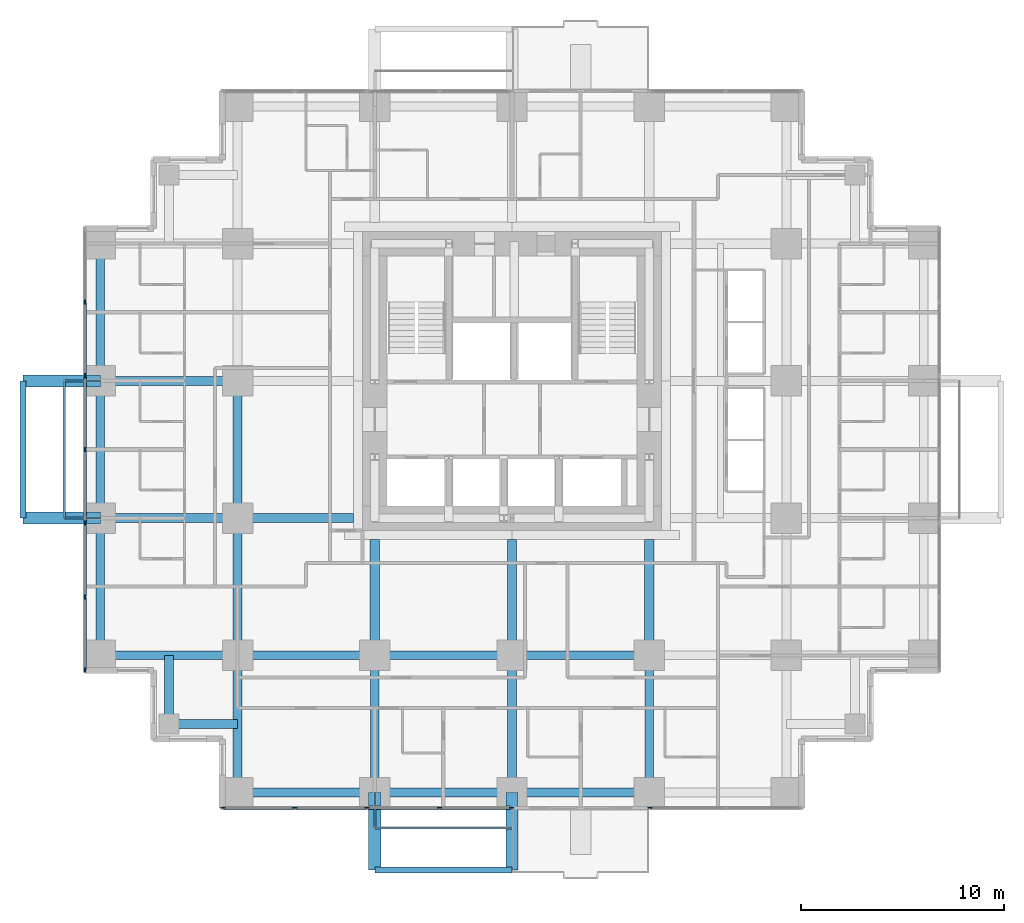
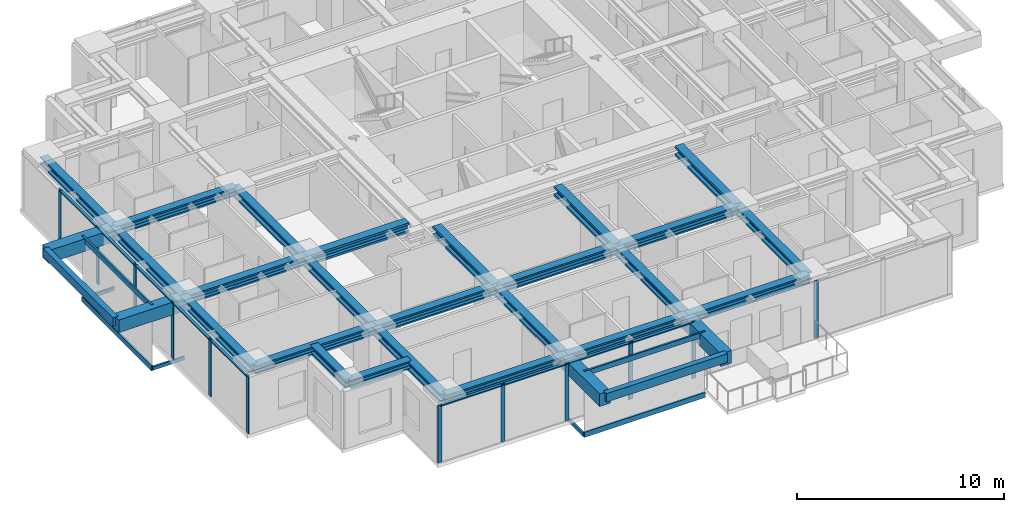
# One storey, part 2 of 12: 30 beams, 28 members, 3 elements without a shape of their own.
"""IFC4 building model written with IfcOpenShell, lengths in metres."""

from ifc_helpers import new_model, si_unit, direction, frame, origin, origin_2d, place, context, subcontext, project, spatial, rectangle, hollow_rectangle, i_section, extrude, material, material_profile, profile_set, type_object, element, aggregate, save


model = new_model("IFC4")

# Units and contexts
model_context = context("Model", 3, precision=1e-05, world=origin(), true_north=direction((0.0, 1.0)))
body_context = subcontext(model_context, "Body", "Model", "MODEL_VIEW")
ifc_project = project(units=[si_unit("LENGTHUNIT", "METRE"), si_unit("AREAUNIT", "SQUARE_METRE"), si_unit("VOLUMEUNIT", "CUBIC_METRE"), si_unit("PLANEANGLEUNIT", "RADIAN"), si_unit("MASSUNIT", "GRAM", prefix="KILO")], contexts=[model_context])

# Site, building, storey
site_placement = place(None, origin())
site = spatial("IfcSite", under=ifc_project, at=site_placement, CompositionType="ELEMENT")
building_placement = place(site_placement, origin())
building = spatial("IfcBuilding", under=site, at=building_placement, Name="Nyansa Garden Tower", CompositionType="ELEMENT")
storey_placement = place(building_placement, frame((0.0, 0.0, 126.89990234375)))
storey = spatial("IfcBuildingStorey", under=building, at=storey_placement, Name="L34", CompositionType="ELEMENT", Elevation=126.89990234375)

# Beams
ifc_material_1 = material(Name="Concrete C70/85", Category="concrete")
ifc_material_profile_1 = material_profile(ifc_material_1, rectangle(XDim=0.60009765625, YDim=0.75, at=origin_2d()), Name="RC 600x750")
ifc_profile_set_1 = profile_set([ifc_material_profile_1], Name="Concrete C70/85")
beam_type_1 = type_object("IfcBeamType", Name="Balcony cantilever beam CB1 RC 600x750", PredefinedType="BEAM", material=ifc_profile_set_1)
for number, where, z_axis, x_axis, name in (
    (1, (13.5, 0.0, 2.985107421875), (0.0, -1.0, 0.0), (1.0, 0.0, 0.0), "Balcony cantilever beam L35"),
    (2, (20.25, 0.0, 2.985107421875), (0.0, -1.0, 0.0), (1.0, 0.0, 0.0), "Balcony cantilever beam L35"),
    (3, (0.0, 13.5, 2.985107421875), (-1.0, 0.0, 0.0), (0.0, -1.0, 0.0), "Balcony cantilever beam L35"),
    (4, (0.0, 20.25, 2.985107421875), (-1.0, 0.0, 0.0), (0.0, -1.0, 0.0), "Balcony cantilever beam L35"),
):
    element("IfcBeam", number, at=place(storey_placement, frame(where, z_axis=z_axis, x_axis=x_axis)), inside=storey, type_object=beam_type_1, Name=name, PredefinedType="BEAM", context=body_context, shape_type="SweptSolid", body=[
        extrude(rectangle(XDim=0.60009765625, YDim=0.75, at=origin_2d()), origin(), (0.0, 0.0, 1.0), 3.800048828125),
    ])
ifc_material_2 = material(Name="Concrete C70/85", Category="concrete")
ifc_material_profile_2 = material_profile(ifc_material_2, rectangle(XDim=0.300048828125, YDim=0.5, at=origin_2d()), Name="RC 300x500")
ifc_profile_set_2 = profile_set([ifc_material_profile_2], Name="Concrete C70/85")
beam_type_2 = type_object("IfcBeamType", Name="Balcony edge beam BE1 RC 300x500", PredefinedType="BEAM", material=ifc_profile_set_2)
for number, where, z_axis, x_axis, name in (
    (5, (13.5, -3.800048828125, 3.110107421875), (1.0, 0.0, 0.0), (0.0, 1.0, 0.0), "Balcony edge beam L35"),
    (6, (-3.800048828125, 13.5, 3.110107421875), (0.0, 1.0, 0.0), (-1.0, 0.0, 0.0), "Balcony edge beam L35"),
):
    element("IfcBeam", number, at=place(storey_placement, frame(where, z_axis=z_axis, x_axis=x_axis)), inside=storey, type_object=beam_type_2, Name=name, PredefinedType="BEAM", context=body_context, shape_type="SweptSolid", body=[
        extrude(rectangle(XDim=0.300048828125, YDim=0.5, at=origin_2d()), origin(), (0.0, 0.0, 1.0), 6.75),
    ])

# Curtain wall, members
ifc_material_3 = material(Name="Black anodised aluminium, dark tinted double glazing", Category="aluminium")
curtain_wall_type = type_object("IfcCurtainWallType", Name="Inner skin curtain wall ISW-B", PredefinedType="USERDEFINED", material=ifc_material_3)
curtain_wall_1_placement = place(storey_placement, origin())
curtain_wall_1 = element("IfcCurtainWall", 7, at=curtain_wall_1_placement, inside=storey, type_object=curtain_wall_type, Name="Inner skin curtain wall L34 W", ObjectType="UNITISED CURTAIN WALL", PredefinedType="USERDEFINED")
ifc_material_4 = material(Name="Black anodised aluminium", Category="aluminium")
ifc_material_profile_3 = material_profile(ifc_material_4, rectangle(XDim=0.06494140625, YDim=0.22509765625, at=origin_2d()), Name="Mullion 225x65")
ifc_profile_set_3 = profile_set([ifc_material_profile_3], Name="Black anodised aluminium")
member_type_1 = type_object("IfcMemberType", Name="Mullion ISW-B 225x65", PredefinedType="MULLION", material=ifc_profile_set_3)
member_1_placement = place(storey_placement, frame((-0.75, 24.125, 0.0), z_axis=(0.0, 0.0, 1.0), x_axis=(1.0, 0.0, 0.0)))
member_1 = element("IfcMember", 8, at=member_1_placement, type_object=member_type_1, Name="ISW-B mullion 2", PredefinedType="MULLION", context=body_context, shape_type="SweptSolid", body=[
    extrude(rectangle(XDim=0.06494140625, YDim=0.22509765625, at=origin_2d()), origin(), (0.0, 0.0, 1.0), 3.375),
])
member_2_placement = place(storey_placement, frame((-0.75, 20.5, 0.0), z_axis=(0.0, 0.0, 1.0), x_axis=(1.0, 0.0, 0.0)))
member_2 = element("IfcMember", 9, at=member_2_placement, type_object=member_type_1, Name="ISW-B mullion 3", PredefinedType="MULLION", context=body_context, shape_type="SweptSolid", body=[
    extrude(rectangle(XDim=0.06494140625, YDim=0.22509765625, at=origin_2d()), origin(), (0.0, 0.0, 1.0), 3.375),
])
member_3_placement = place(storey_placement, frame((-0.75, 16.875, 0.0), z_axis=(0.0, 0.0, 1.0), x_axis=(1.0, 0.0, 0.0)))
member_3 = element("IfcMember", 10, at=member_3_placement, type_object=member_type_1, Name="ISW-B mullion 4", PredefinedType="MULLION", context=body_context, shape_type="SweptSolid", body=[
    extrude(rectangle(XDim=0.06494140625, YDim=0.22509765625, at=origin_2d()), origin(), (0.0, 0.0, 1.0), 3.375),
])
member_4_placement = place(storey_placement, frame((-0.75, 13.25, 0.0), z_axis=(0.0, 0.0, 1.0), x_axis=(1.0, 0.0, 0.0)))
member_4 = element("IfcMember", 11, at=member_4_placement, type_object=member_type_1, Name="ISW-B mullion 5", PredefinedType="MULLION", context=body_context, shape_type="SweptSolid", body=[
    extrude(rectangle(XDim=0.06494140625, YDim=0.22509765625, at=origin_2d()), origin(), (0.0, 0.0, 1.0), 3.375),
])
member_5_placement = place(storey_placement, frame((-0.75, 9.625, 0.0), z_axis=(0.0, 0.0, 1.0), x_axis=(1.0, 0.0, 0.0)))
member_5 = element("IfcMember", 12, at=member_5_placement, type_object=member_type_1, Name="ISW-B mullion 6", PredefinedType="MULLION", context=body_context, shape_type="SweptSolid", body=[
    extrude(rectangle(XDim=0.06494140625, YDim=0.22509765625, at=origin_2d()), origin(), (0.0, 0.0, 1.0), 3.375),
])
member_6_placement = place(storey_placement, frame((-0.75, 6.032470703125, 0.0), z_axis=(0.0, 0.0, 1.0), x_axis=(1.0, 0.0, 0.0)))
member_6 = element("IfcMember", 13, at=member_6_placement, type_object=member_type_1, Name="ISW-B mullion 7", PredefinedType="MULLION", context=body_context, shape_type="SweptSolid", body=[
    extrude(rectangle(XDim=0.06494140625, YDim=0.22509765625, at=origin_2d()), origin(), (0.0, 0.0, 1.0), 3.375),
])

curtain_wall_2_placement = place(storey_placement, origin())
curtain_wall_2 = element("IfcCurtainWall", 14, at=curtain_wall_2_placement, inside=storey, type_object=curtain_wall_type, Name="Inner skin curtain wall L34 S", ObjectType="UNITISED CURTAIN WALL", PredefinedType="USERDEFINED")
member_7_placement = place(storey_placement, frame((6.032470703125, -0.75, 0.0), z_axis=(0.0, 0.0, 1.0), x_axis=(0.0, 1.0, 0.0)))
member_7 = element("IfcMember", 15, at=member_7_placement, type_object=member_type_1, Name="ISW-B mullion 1", PredefinedType="MULLION", context=body_context, shape_type="SweptSolid", body=[
    extrude(rectangle(XDim=0.06494140625, YDim=0.22509765625, at=origin_2d()), origin(), (0.0, 0.0, 1.0), 3.375),
])
member_8_placement = place(storey_placement, frame((9.5625, -0.75, 0.0), z_axis=(0.0, 0.0, 1.0), x_axis=(0.0, 1.0, 0.0)))
member_8 = element("IfcMember", 16, at=member_8_placement, type_object=member_type_1, Name="ISW-B mullion 2", PredefinedType="MULLION", context=body_context, shape_type="SweptSolid", body=[
    extrude(rectangle(XDim=0.06494140625, YDim=0.22509765625, at=origin_2d()), origin(), (0.0, 0.0, 1.0), 3.375),
])
member_9_placement = place(storey_placement, frame((13.125, -0.75, 0.0), z_axis=(0.0, 0.0, 1.0), x_axis=(0.0, 1.0, 0.0)))
member_9 = element("IfcMember", 17, at=member_9_placement, type_object=member_type_1, Name="ISW-B mullion 3", PredefinedType="MULLION", context=body_context, shape_type="SweptSolid", body=[
    extrude(rectangle(XDim=0.06494140625, YDim=0.22509765625, at=origin_2d()), origin(), (0.0, 0.0, 1.0), 3.375),
])
member_10_placement = place(storey_placement, frame((16.6875, -0.75, 0.0), z_axis=(0.0, 0.0, 1.0), x_axis=(0.0, 1.0, 0.0)))
member_10 = element("IfcMember", 18, at=member_10_placement, type_object=member_type_1, Name="ISW-B mullion 4", PredefinedType="MULLION", context=body_context, shape_type="SweptSolid", body=[
    extrude(rectangle(XDim=0.06494140625, YDim=0.22509765625, at=origin_2d()), origin(), (0.0, 0.0, 1.0), 3.375),
])
member_11_placement = place(storey_placement, frame((20.217529296875, -0.75, 0.0), z_axis=(0.0, 0.0, 1.0), x_axis=(0.0, 1.0, 0.0)))
member_11 = element("IfcMember", 19, at=member_11_placement, type_object=member_type_1, Name="ISW-B mullion 5", PredefinedType="MULLION", context=body_context, shape_type="SweptSolid", body=[
    extrude(rectangle(XDim=0.06494140625, YDim=0.22509765625, at=origin_2d()), origin(), (0.0, 0.0, 1.0), 3.375),
])

# Curtain wall, member
curtain_wall_3_placement = place(storey_placement, origin())
curtain_wall_3 = element("IfcCurtainWall", 20, at=curtain_wall_3_placement, inside=storey, type_object=curtain_wall_type, Name="Inner skin curtain wall L34 S", ObjectType="UNITISED CURTAIN WALL", PredefinedType="USERDEFINED")
member_12_placement = place(storey_placement, frame((27.032470703125, -0.75, 0.0), z_axis=(0.0, 0.0, 1.0), x_axis=(0.0, 1.0, 0.0)))
member_12 = element("IfcMember", 21, at=member_12_placement, type_object=member_type_1, Name="ISW-B mullion 1", PredefinedType="MULLION", context=body_context, shape_type="SweptSolid", body=[
    extrude(rectangle(XDim=0.06494140625, YDim=0.22509765625, at=origin_2d()), origin(), (0.0, 0.0, 1.0), 3.375),
])
aggregate(curtain_wall_3, [member_12])

# Members
ifc_material_5 = material(Name="Steel S355, black powder coated", Category="steel")
ifc_material_profile_4 = material_profile(ifc_material_5, hollow_rectangle(XDim=0.10009765625, YDim=0.199951171875, WallThickness=0.008056640625, at=origin_2d()), Name="RHS 200x100x8")
ifc_profile_set_4 = profile_set([ifc_material_profile_4], Name="Steel S355, black powder coated")
member_type_2 = type_object("IfcMemberType", Name="Outer skin bracket arm RHS 200x100x8", PredefinedType="USERDEFINED", material=ifc_profile_set_4)
for number, where, z_axis, x_axis, name in (
    (22, (0.0, 13.5, -0.375), (-1.0, 0.0, 0.0), (0.0, -1.0, 0.0), "Outer skin bracket arm"),
    (23, (0.0, 20.25, -0.375), (-1.0, 0.0, 0.0), (0.0, -1.0, 0.0), "Outer skin bracket arm"),
    (24, (13.5, 0.0, -0.375), (0.0, -1.0, 0.0), (1.0, 0.0, 0.0), "Outer skin bracket arm"),
):
    element("IfcMember", number, at=place(storey_placement, frame(where, z_axis=z_axis, x_axis=x_axis)), inside=storey, type_object=member_type_2, Name=name, ObjectType="OUTER SKIN BRACKET", PredefinedType="USERDEFINED", context=body_context, shape_type="SweptSolid", body=[
        extrude(hollow_rectangle(XDim=0.10009765625, YDim=0.199951171875, WallThickness=0.008056640625, at=origin_2d()), origin(), (0.0, 0.0, 1.0), 1.75),
    ])
ifc_material_6 = material(Name="Steel S355, black powder coated", Category="steel")
ifc_material_profile_5 = material_profile(ifc_material_6, hollow_rectangle(XDim=0.10009765625, YDim=0.300048828125, WallThickness=0.010009765625, at=origin_2d()), Name="RHS 300x100x10")
ifc_profile_set_5 = profile_set([ifc_material_profile_5], Name="Steel S355, black powder coated")
member_type_3 = type_object("IfcMemberType", Name="Outer skin rail RHS 300x100x10", PredefinedType="USERDEFINED", material=ifc_profile_set_5)
for number, where, z_axis, x_axis, name in (
    (25, (-1.75, 13.5, -0.375), (0.0, 1.0, 0.0), (-1.0, 0.0, 0.0), "Outer skin rail L34"),
    (26, (-1.75, 13.5, 3.22509765625), (0.0, 1.0, 0.0), (-1.0, 0.0, 0.0), "Outer skin rail L34 head"),
    (27, (13.5, -1.75, -0.375), (1.0, 0.0, 0.0), (0.0, 1.0, 0.0), "Outer skin rail L34"),
    (28, (13.5, -1.75, 3.22509765625), (1.0, 0.0, 0.0), (0.0, 1.0, 0.0), "Outer skin rail L34 head"),
):
    element("IfcMember", number, at=place(storey_placement, frame(where, z_axis=z_axis, x_axis=x_axis)), inside=storey, type_object=member_type_3, Name=name, ObjectType="OUTER SKIN RAIL", PredefinedType="USERDEFINED", context=body_context, shape_type="SweptSolid", body=[
        extrude(hollow_rectangle(XDim=0.10009765625, YDim=0.300048828125, WallThickness=0.010009765625, at=origin_2d()), origin(), (0.0, 0.0, 1.0), 6.75),
    ])

# Beams
ifc_material_7 = material(Name="Steel S355", Category="steel")
ifc_material_profile_6 = material_profile(ifc_material_7, i_section(OverallWidth=0.431884765625, OverallDepth=0.498046875, WebThickness=0.0556640625, FlangeThickness=0.0888671875, FilletRadius=0.014892578125, at=origin_2d()), Name="HD 400x744")
ifc_profile_set_6 = profile_set([ifc_material_profile_6], Name="Steel S355")
beam_type_3 = type_object("IfcBeamType", Name="Steel beam SBB1-744 HD 400x744", PredefinedType="BEAM", material=ifc_profile_set_6)
for number, where, z_axis, x_axis, name in (
    (29, (0.0, 6.75, 3.1259765625), (1.0, 0.0, 0.0), (0.0, 1.0, 0.0), "Steel beam 2/E-3/E L35"),
    (30, (0.0, 13.5, 3.1259765625), (1.0, 0.0, 0.0), (0.0, 1.0, 0.0), "Steel beam 2/F-3/F L35"),
    (31, (0.0, 20.25, 3.1259765625), (1.0, 0.0, 0.0), (0.0, 1.0, 0.0), "Steel beam 2/G-3/G L35"),
    (32, (6.75, 0.0, 3.1259765625), (0.0, 1.0, 0.0), (-1.0, 0.0, 0.0), "Steel beam 3/D-3/E L35"),
    (33, (6.75, 6.75, 3.1259765625), (0.0, 1.0, 0.0), (-1.0, 0.0, 0.0), "Steel beam 3/E-3/F L35"),
    (34, (6.75, 6.75, 3.1259765625), (1.0, 0.0, 0.0), (0.0, 1.0, 0.0), "Steel beam 3/E-4/E L35"),
    (35, (6.75, 13.5, 3.1259765625), (0.0, 1.0, 0.0), (-1.0, 0.0, 0.0), "Steel beam 3/F-3/G L35"),
    (36, (13.5, 0.0, 3.1259765625), (0.0, 1.0, 0.0), (-1.0, 0.0, 0.0), "Steel beam 4/D-4/E L35"),
    (37, (13.5, 6.75, 3.1259765625), (1.0, 0.0, 0.0), (0.0, 1.0, 0.0), "Steel beam 4/E-5/E L35"),
    (38, (20.25, 0.0, 3.1259765625), (0.0, 1.0, 0.0), (-1.0, 0.0, 0.0), "Steel beam 5/D-5/E L35"),
    (39, (20.25, 6.75, 3.1259765625), (1.0, 0.0, 0.0), (0.0, 1.0, 0.0), "Steel beam 5/E-6/E L35"),
    (40, (27.0, 0.0, 3.1259765625), (0.0, 1.0, 0.0), (-1.0, 0.0, 0.0), "Steel beam 6/D-6/E L35"),
):
    element("IfcBeam", number, at=place(storey_placement, frame(where, z_axis=z_axis, x_axis=x_axis)), inside=storey, type_object=beam_type_3, Name=name, PredefinedType="BEAM", context=body_context, shape_type="SweptSolid", body=[
        extrude(i_section(OverallWidth=0.431884765625, OverallDepth=0.498046875, WebThickness=0.0556640625, FlangeThickness=0.0888671875, FilletRadius=0.014892578125, at=origin_2d()), origin(), (0.0, 0.0, 1.0), 6.75),
    ])
ifc_material_8 = material(Name="Steel S355", Category="steel")
ifc_material_profile_7 = material_profile(ifc_material_8, i_section(OverallWidth=0.4541015625, OverallDepth=0.569091796875, WebThickness=0.077880859375, FlangeThickness=0.125, FilletRadius=0.014892578125, at=origin_2d()), Name="HD 400x1086")
ifc_profile_set_7 = profile_set([ifc_material_profile_7], Name="Steel S355")
beam_type_4 = type_object("IfcBeamType", Name="Steel beam SCL-1086 HD 400x1086", PredefinedType="BEAM", material=ifc_profile_set_7)
for number, where, z_axis, x_axis, name in (
    (41, (6.75, 13.5, 3.090576171875), (1.0, 0.0, 0.0), (0.0, 1.0, 0.0), "Steel beam 3/F-12.450/F L35"),
    (42, (13.5, 6.75, 3.090576171875), (0.0, 1.0, 0.0), (-1.0, 0.0, 0.0), "Steel beam 4/E-4/12.450 L35"),
    (43, (20.25, 6.75, 3.090576171875), (0.0, 1.0, 0.0), (-1.0, 0.0, 0.0), "Steel beam 5/E-5/12.450 L35"),
    (44, (27.0, 6.75, 3.090576171875), (0.0, 1.0, 0.0), (-1.0, 0.0, 0.0), "Steel beam 6/E-6/12.450 L35"),
):
    element("IfcBeam", number, at=place(storey_placement, frame(where, z_axis=z_axis, x_axis=x_axis)), inside=storey, type_object=beam_type_4, Name=name, PredefinedType="BEAM", context=body_context, shape_type="SweptSolid", body=[
        extrude(i_section(OverallWidth=0.4541015625, OverallDepth=0.569091796875, WebThickness=0.077880859375, FlangeThickness=0.125, FilletRadius=0.014892578125, at=origin_2d()), origin(), (0.0, 0.0, 1.0), 5.699951171875),
    ])
ifc_material_9 = material(Name="Steel S355", Category="steel")
ifc_material_profile_8 = material_profile(ifc_material_9, i_section(OverallWidth=0.431884765625, OverallDepth=0.498046875, WebThickness=0.0556640625, FlangeThickness=0.0888671875, FilletRadius=0.014892578125, at=origin_2d()), Name="HD 400x744")
ifc_profile_set_8 = profile_set([ifc_material_profile_8], Name="Steel S355")
beam_type_5 = type_object("IfcBeamType", Name="Steel beam SEBB-744 HD 400x744", PredefinedType="BEAM", material=ifc_profile_set_8)
for number, where, z_axis, x_axis, name in (
    (45, (0.0, 6.75, 3.1259765625), (0.0, 1.0, 0.0), (-1.0, 0.0, 0.0), "Steel edge beam 2/E-2/F L35"),
    (46, (0.0, 13.5, 3.1259765625), (0.0, 1.0, 0.0), (-1.0, 0.0, 0.0), "Steel edge beam 2/F-2/G L35"),
    (47, (0.0, 20.25, 3.1259765625), (0.0, 1.0, 0.0), (-1.0, 0.0, 0.0), "Steel edge beam 2/G-2/H L35"),
    (48, (6.75, 0.0, 3.1259765625), (1.0, 0.0, 0.0), (0.0, 1.0, 0.0), "Steel edge beam 3/D-4/D L35"),
    (49, (13.5, 0.0, 3.1259765625), (1.0, 0.0, 0.0), (0.0, 1.0, 0.0), "Steel edge beam 4/D-5/D L35"),
    (50, (20.25, 0.0, 3.1259765625), (1.0, 0.0, 0.0), (0.0, 1.0, 0.0), "Steel edge beam 5/D-6/D L35"),
):
    element("IfcBeam", number, at=place(storey_placement, frame(where, z_axis=z_axis, x_axis=x_axis)), inside=storey, type_object=beam_type_5, Name=name, PredefinedType="BEAM", context=body_context, shape_type="SweptSolid", body=[
        extrude(i_section(OverallWidth=0.431884765625, OverallDepth=0.498046875, WebThickness=0.0556640625, FlangeThickness=0.0888671875, FilletRadius=0.014892578125, at=origin_2d()), origin(), (0.0, 0.0, 1.0), 6.75),
    ])
ifc_material_10 = material(Name="Steel S355", Category="steel")
ifc_material_profile_9 = material_profile(ifc_material_10, i_section(OverallWidth=0.431884765625, OverallDepth=0.498046875, WebThickness=0.0556640625, FlangeThickness=0.0888671875, FilletRadius=0.014892578125, at=origin_2d()), Name="HD 400x744")
ifc_profile_set_9 = profile_set([ifc_material_profile_9], Name="Steel S355")
beam_type_6 = type_object("IfcBeamType", Name="Steel beam SSB1-744 HD 400x744", PredefinedType="BEAM", material=ifc_profile_set_9)
for number, where, z_axis, x_axis, name in (
    (51, (3.375, 3.375, 3.1259765625), (0.0, 1.0, 0.0), (-1.0, 0.0, 0.0), "Steel step beam 3.375/3.375 L35"),
    (52, (3.375, 3.375, 3.1259765625), (1.0, 0.0, 0.0), (0.0, 1.0, 0.0), "Steel step beam 3.375/3.375 L35"),
):
    element("IfcBeam", number, at=place(storey_placement, frame(where, z_axis=z_axis, x_axis=x_axis)), inside=storey, type_object=beam_type_6, Name=name, PredefinedType="BEAM", context=body_context, shape_type="SweptSolid", body=[
        extrude(i_section(OverallWidth=0.431884765625, OverallDepth=0.498046875, WebThickness=0.0556640625, FlangeThickness=0.0888671875, FilletRadius=0.014892578125, at=origin_2d()), origin(), (0.0, 0.0, 1.0), 3.375),
    ])

# Member
ifc_material_11 = material(Name="Black anodised aluminium", Category="aluminium")
ifc_material_profile_10 = material_profile(ifc_material_11, rectangle(XDim=0.1650390625, YDim=0.06494140625, at=origin_2d()), Name="Transom 165x65")
ifc_profile_set_10 = profile_set([ifc_material_profile_10], Name="Black anodised aluminium")
member_type_4 = type_object("IfcMemberType", Name="Transom ISW-B 165x65", PredefinedType="USERDEFINED", material=ifc_profile_set_10)
member_13_placement = place(storey_placement, frame((-0.75, 24.092529296875, 3.342529296875), z_axis=(0.0, -1.0, 0.0), x_axis=(1.0, 0.0, 0.0)))
member_13 = element("IfcMember", 53, at=member_13_placement, type_object=member_type_4, Name="ISW-B transom 2", ObjectType="TRANSOM", PredefinedType="USERDEFINED", context=body_context, shape_type="SweptSolid", body=[
    extrude(rectangle(XDim=0.1650390625, YDim=0.06494140625, at=origin_2d()), origin(), (0.0, 0.0, 1.0), 3.56005859375),
])

member_14_placement = place(storey_placement, frame((-0.75, 20.467529296875, 3.342529296875), z_axis=(0.0, -1.0, 0.0), x_axis=(1.0, 0.0, 0.0)))
member_14 = element("IfcMember", 54, at=member_14_placement, type_object=member_type_4, Name="ISW-B transom 3", ObjectType="TRANSOM", PredefinedType="USERDEFINED", context=body_context, shape_type="SweptSolid", body=[
    extrude(rectangle(XDim=0.1650390625, YDim=0.06494140625, at=origin_2d()), origin(), (0.0, 0.0, 1.0), 3.56005859375),
])

member_15_placement = place(storey_placement, frame((-0.75, 16.842529296875, 3.342529296875), z_axis=(0.0, -1.0, 0.0), x_axis=(1.0, 0.0, 0.0)))
member_15 = element("IfcMember", 55, at=member_15_placement, type_object=member_type_4, Name="ISW-B transom 4", ObjectType="TRANSOM", PredefinedType="USERDEFINED", context=body_context, shape_type="SweptSolid", body=[
    extrude(rectangle(XDim=0.1650390625, YDim=0.06494140625, at=origin_2d()), origin(), (0.0, 0.0, 1.0), 3.56005859375),
])

member_16_placement = place(storey_placement, frame((-0.75, 13.217529296875, 3.342529296875), z_axis=(0.0, -1.0, 0.0), x_axis=(1.0, 0.0, 0.0)))
member_16 = element("IfcMember", 56, at=member_16_placement, type_object=member_type_4, Name="ISW-B transom 5", ObjectType="TRANSOM", PredefinedType="USERDEFINED", context=body_context, shape_type="SweptSolid", body=[
    extrude(rectangle(XDim=0.1650390625, YDim=0.06494140625, at=origin_2d()), origin(), (0.0, 0.0, 1.0), 3.56005859375),
])

member_17_placement = place(storey_placement, frame((-0.75, 9.592529296875, 3.342529296875), z_axis=(0.0, -1.0, 0.0), x_axis=(1.0, 0.0, 0.0)))
member_17 = element("IfcMember", 57, at=member_17_placement, type_object=member_type_4, Name="ISW-B transom 6", ObjectType="TRANSOM", PredefinedType="USERDEFINED", context=body_context, shape_type="SweptSolid", body=[
    extrude(rectangle(XDim=0.1650390625, YDim=0.06494140625, at=origin_2d()), origin(), (0.0, 0.0, 1.0), 3.527587890625),
])

aggregate(curtain_wall_1, [member_1, member_2, member_3, member_4, member_5, member_6, member_13, member_14, member_15, member_16, member_17])

member_18_placement = place(storey_placement, frame((6.06494140625, -0.75, 3.342529296875), z_axis=(1.0, 0.0, 0.0), x_axis=(0.0, 1.0, 0.0)))
member_18 = element("IfcMember", 58, at=member_18_placement, type_object=member_type_4, Name="ISW-B transom 1", ObjectType="TRANSOM", PredefinedType="USERDEFINED", context=body_context, shape_type="SweptSolid", body=[
    extrude(rectangle(XDim=0.1650390625, YDim=0.06494140625, at=origin_2d()), origin(), (0.0, 0.0, 1.0), 3.465087890625),
])

member_19_placement = place(storey_placement, frame((9.594970703125, -0.75, 3.342529296875), z_axis=(1.0, 0.0, 0.0), x_axis=(0.0, 1.0, 0.0)))
member_19 = element("IfcMember", 59, at=member_19_placement, type_object=member_type_4, Name="ISW-B transom 2", ObjectType="TRANSOM", PredefinedType="USERDEFINED", context=body_context, shape_type="SweptSolid", body=[
    extrude(rectangle(XDim=0.1650390625, YDim=0.06494140625, at=origin_2d()), origin(), (0.0, 0.0, 1.0), 3.49755859375),
])

member_20_placement = place(storey_placement, frame((13.157470703125, -0.75, 3.342529296875), z_axis=(1.0, 0.0, 0.0), x_axis=(0.0, 1.0, 0.0)))
member_20 = element("IfcMember", 60, at=member_20_placement, type_object=member_type_4, Name="ISW-B transom 3", ObjectType="TRANSOM", PredefinedType="USERDEFINED", context=body_context, shape_type="SweptSolid", body=[
    extrude(rectangle(XDim=0.1650390625, YDim=0.06494140625, at=origin_2d()), origin(), (0.0, 0.0, 1.0), 3.49755859375),
])

member_21_placement = place(storey_placement, frame((16.719970703125, -0.75, 3.342529296875), z_axis=(1.0, 0.0, 0.0), x_axis=(0.0, 1.0, 0.0)))
member_21 = element("IfcMember", 61, at=member_21_placement, type_object=member_type_4, Name="ISW-B transom 4", ObjectType="TRANSOM", PredefinedType="USERDEFINED", context=body_context, shape_type="SweptSolid", body=[
    extrude(rectangle(XDim=0.1650390625, YDim=0.06494140625, at=origin_2d()), origin(), (0.0, 0.0, 1.0), 3.465087890625),
])

aggregate(curtain_wall_2, [member_7, member_8, member_9, member_10, member_11, member_18, member_19, member_20, member_21])

save(model, "model.ifc")
